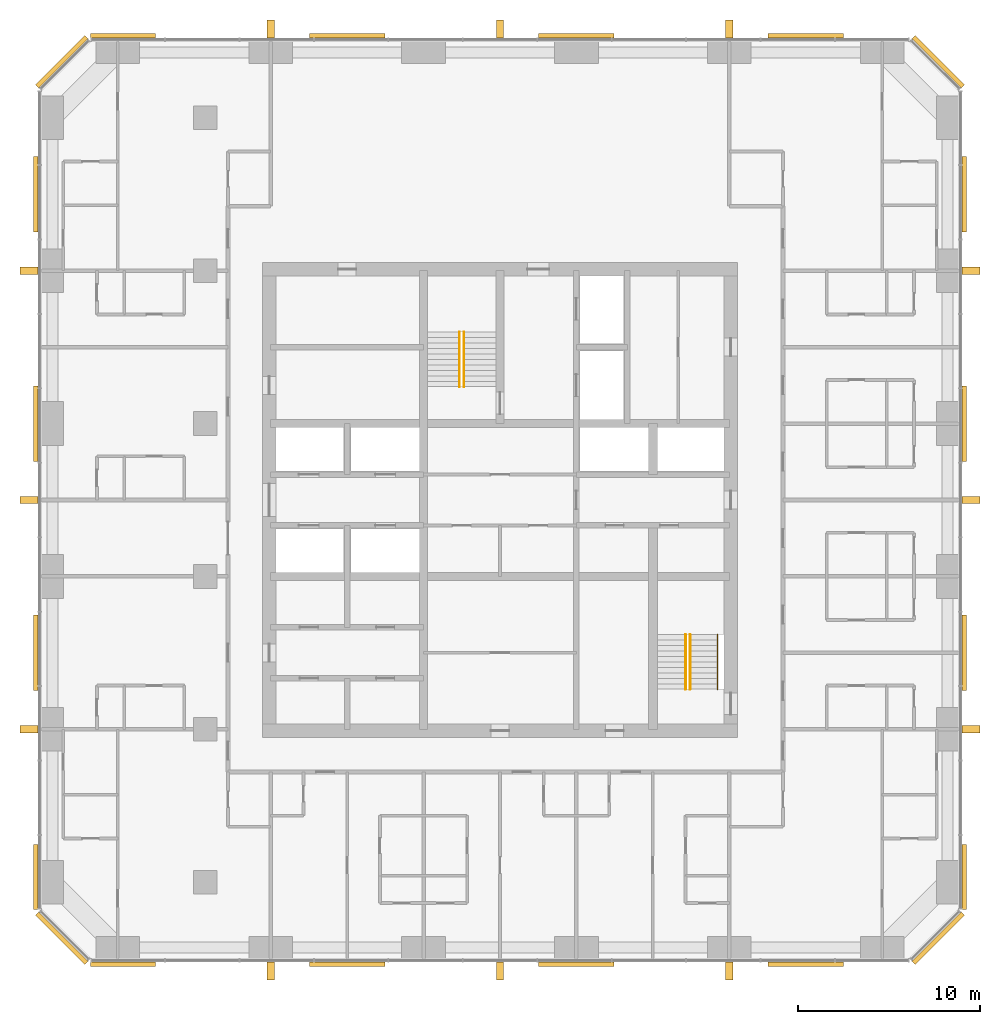
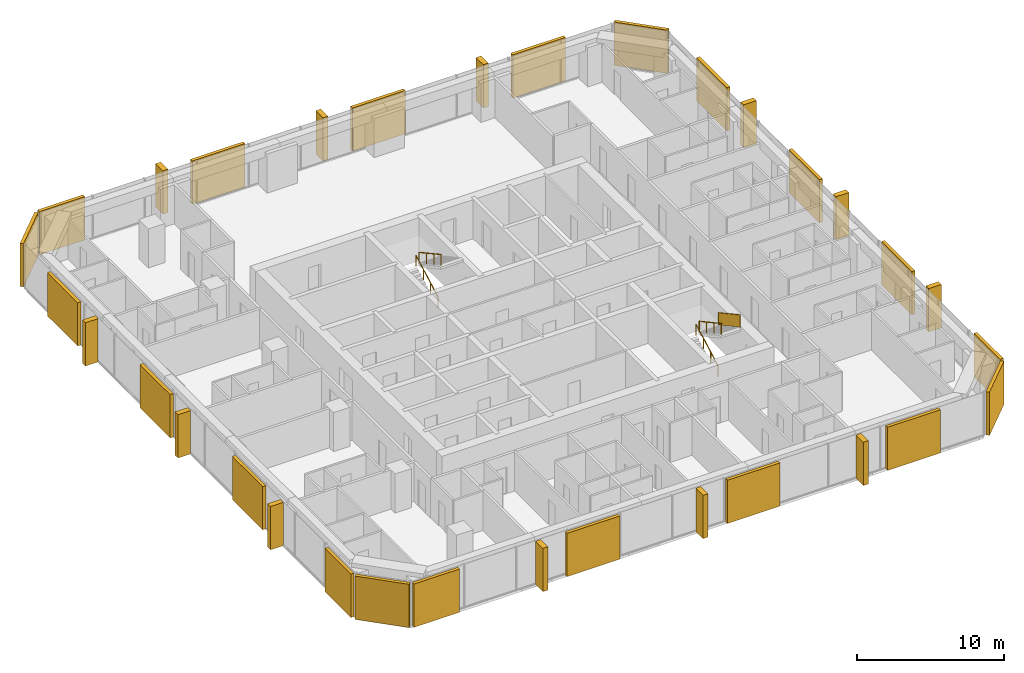
# One storey, part 14 of 14: 20 coverings, 12 shading devices, 5 railings.
"""IFC4 building model written with IfcOpenShell, lengths in metres."""

from ifc_helpers import new_model, si_unit, direction, frame, origin, origin_2d, place, context, subcontext, project, spatial, polyline, rectangle, circle, outline, extrude, material, layer, layer_set, type_object, element, save


model = new_model("IFC4")

# Units and contexts
model_context = context("Model", 3, precision=1e-05, world=origin(), true_north=direction((0.0, 1.0)))
body_context = subcontext(model_context, "Body", "Model", "MODEL_VIEW")
ifc_project = project(units=[si_unit("LENGTHUNIT", "METRE"), si_unit("AREAUNIT", "SQUARE_METRE"), si_unit("VOLUMEUNIT", "CUBIC_METRE"), si_unit("PLANEANGLEUNIT", "RADIAN"), si_unit("MASSUNIT", "GRAM", prefix="KILO")], contexts=[model_context])

# Site, building, storey
site_placement = place(None, origin())
site = spatial("IfcSite", under=ifc_project, at=site_placement, CompositionType="ELEMENT")
building_placement = place(site_placement, origin())
building = spatial("IfcBuilding", under=site, at=building_placement, Name="Dunama Terrace Hotel", CompositionType="ELEMENT")
storey_placement = place(building_placement, frame((0.0, 0.0, 177.0)))
storey = spatial("IfcBuildingStorey", under=building, at=storey_placement, Name="L45", CompositionType="ELEMENT", Elevation=177.0)

# Railings
ifc_material_1 = material(Name="Stainless steel and laminated glass guard", Category="steel")
railing_type_1 = type_object("IfcRailingType", Name="Guard 1100", PredefinedType="GUARDRAIL", material=ifc_material_1)
railing_1_placement = place(storey_placement, frame((41.35009765625, 22.0, 1.963623046875)))
element("IfcRailing", 1, at=railing_1_placement, inside=storey, type_object=railing_type_1, Name="Stair guard ST2 L45", PredefinedType="GUARDRAIL", context=body_context, shape_type="SweptSolid", body=[
    extrude(circle(Radius=0.02392578125, at=origin_2d()), frame((0.0, 0.0, 1.076171875), z_axis=(0.0, -0.877881921179, 0.478877158013), x_axis=(1.0, 0.0, 0.0)), (0.0, 0.0, 1.0), 3.417236328125),
    extrude(circle(Radius=0.02099609375, at=origin_2d()), origin(), (0.0, 0.0, 1.0), 1.052001953125),
    extrude(circle(Radius=0.02099609375, at=origin_2d()), frame((0.0, -1.0, 0.54541015625)), (0.0, 0.0, 1.0), 1.052001953125),
    extrude(circle(Radius=0.02099609375, at=origin_2d()), frame((0.0, -2.0, 1.091064453125)), (0.0, 0.0, 1.0), 1.052001953125),
    extrude(circle(Radius=0.02099609375, at=origin_2d()), frame((0.0, -3.0, 1.636474609375)), (0.0, 0.0, 1.0), 1.052001953125),
    extrude(outline(polyline([(0.0048828125, 0.052734375), (0.9951171875, 0.5927734375), (0.9951171875, 1.618896484375), (0.0048828125, 1.07861328125), (0.0048828125, 0.052734375)])), frame((0.0087890625, 0.0, 0.0), z_axis=(-1.0, 0.0, 0.0), x_axis=(0.0, -1.0, 0.0)), (0.0, 0.0, 1.0), 0.017578125),
    extrude(outline(polyline([(0.0048828125, 0.052734375), (0.9951171875, 0.5927734375), (0.9951171875, 1.618896484375), (0.0048828125, 1.07861328125), (0.0048828125, 0.052734375)])), frame((0.0087890625, -1.0, 0.54541015625), z_axis=(-1.0, 0.0, 0.0), x_axis=(0.0, -1.0, 0.0)), (0.0, 0.0, 1.0), 0.017578125),
    extrude(outline(polyline([(0.0048828125, 0.052734375), (0.9951171875, 0.5927734375), (0.9951171875, 1.618896484375), (0.0048828125, 1.07861328125), (0.0048828125, 0.052734375)])), frame((0.0087890625, -2.0, 1.091064453125), z_axis=(-1.0, 0.0, 0.0), x_axis=(0.0, -1.0, 0.0)), (0.0, 0.0, 1.0), 0.017578125),
])
ifc_material_2 = material(Name="Stainless steel handrail", Category="steel")
railing_type_2 = type_object("IfcRailingType", Name="Stair handrail 900", PredefinedType="HANDRAIL", material=ifc_material_2)
railing_2_placement = place(storey_placement, frame((27.175048828125, 35.625, 0.16357421875)))
element("IfcRailing", 2, at=railing_2_placement, inside=storey, type_object=railing_type_2, Name="Handrail ST1 L45", PredefinedType="HANDRAIL", context=body_context, shape_type="SweptSolid", body=[
    extrude(circle(Radius=0.02392578125, at=origin_2d()), frame((0.0, 0.0, 0.8759765625), z_axis=(0.0, 0.877881921179, 0.478877158013), x_axis=(-1.0, 0.0, 0.0)), (0.0, 0.0, 1.0), 3.417236328125),
    extrude(circle(Radius=0.02099609375, at=origin_2d()), origin(), (0.0, 0.0, 1.0), 0.851806640625),
    extrude(circle(Radius=0.02099609375, at=origin_2d()), frame((0.0, 1.0, 0.54541015625)), (0.0, 0.0, 1.0), 0.851806640625),
    extrude(circle(Radius=0.02099609375, at=origin_2d()), frame((0.0, 2.0, 1.091064453125)), (0.0, 0.0, 1.0), 0.851806640625),
    extrude(circle(Radius=0.02099609375, at=origin_2d()), frame((0.0, 3.0, 1.636474609375)), (0.0, 0.0, 1.0), 0.851806640625),
])
railing_3_placement = place(storey_placement, frame((27.425048828125, 38.625, 1.963623046875)))
element("IfcRailing", 3, at=railing_3_placement, inside=storey, type_object=railing_type_2, Name="Handrail ST1 L45", PredefinedType="HANDRAIL", context=body_context, shape_type="SweptSolid", body=[
    extrude(circle(Radius=0.02392578125, at=origin_2d()), frame((0.0, 0.0, 0.8759765625), z_axis=(0.0, -0.877881921179, 0.478877158013), x_axis=(1.0, 0.0, 0.0)), (0.0, 0.0, 1.0), 3.417236328125),
    extrude(circle(Radius=0.02099609375, at=origin_2d()), origin(), (0.0, 0.0, 1.0), 0.851806640625),
    extrude(circle(Radius=0.02099609375, at=origin_2d()), frame((0.0, -1.0, 0.54541015625)), (0.0, 0.0, 1.0), 0.851806640625),
    extrude(circle(Radius=0.02099609375, at=origin_2d()), frame((0.0, -2.0, 1.091064453125)), (0.0, 0.0, 1.0), 0.851806640625),
    extrude(circle(Radius=0.02099609375, at=origin_2d()), frame((0.0, -3.0, 1.636474609375)), (0.0, 0.0, 1.0), 0.851806640625),
])
railing_4_placement = place(storey_placement, frame((39.60009765625, 19.0, 0.16357421875)))
element("IfcRailing", 4, at=railing_4_placement, inside=storey, type_object=railing_type_2, Name="Handrail ST2 L45", PredefinedType="HANDRAIL", context=body_context, shape_type="SweptSolid", body=[
    extrude(circle(Radius=0.02392578125, at=origin_2d()), frame((0.0, 0.0, 0.8759765625), z_axis=(0.0, 0.877881921179, 0.478877158013), x_axis=(-1.0, 0.0, 0.0)), (0.0, 0.0, 1.0), 3.417236328125),
    extrude(circle(Radius=0.02099609375, at=origin_2d()), origin(), (0.0, 0.0, 1.0), 0.851806640625),
    extrude(circle(Radius=0.02099609375, at=origin_2d()), frame((0.0, 1.0, 0.54541015625)), (0.0, 0.0, 1.0), 0.851806640625),
    extrude(circle(Radius=0.02099609375, at=origin_2d()), frame((0.0, 2.0, 1.091064453125)), (0.0, 0.0, 1.0), 0.851806640625),
    extrude(circle(Radius=0.02099609375, at=origin_2d()), frame((0.0, 3.0, 1.636474609375)), (0.0, 0.0, 1.0), 0.851806640625),
])
railing_5_placement = place(storey_placement, frame((39.85009765625, 22.0, 1.963623046875)))
element("IfcRailing", 5, at=railing_5_placement, inside=storey, type_object=railing_type_2, Name="Handrail ST2 L45", PredefinedType="HANDRAIL", context=body_context, shape_type="SweptSolid", body=[
    extrude(circle(Radius=0.02392578125, at=origin_2d()), frame((0.0, 0.0, 0.8759765625), z_axis=(0.0, -0.877881921179, 0.478877158013), x_axis=(1.0, 0.0, 0.0)), (0.0, 0.0, 1.0), 3.417236328125),
    extrude(circle(Radius=0.02099609375, at=origin_2d()), origin(), (0.0, 0.0, 1.0), 0.851806640625),
    extrude(circle(Radius=0.02099609375, at=origin_2d()), frame((0.0, -1.0, 0.54541015625)), (0.0, 0.0, 1.0), 0.851806640625),
    extrude(circle(Radius=0.02099609375, at=origin_2d()), frame((0.0, -2.0, 1.091064453125)), (0.0, 0.0, 1.0), 0.851806640625),
    extrude(circle(Radius=0.02099609375, at=origin_2d()), frame((0.0, -3.0, 1.636474609375)), (0.0, 0.0, 1.0), 0.851806640625),
])

# Coverings
ifc_material_3 = material(Name="Warm reconstituted stone panel", Category="masonry")
ifc_layer_1 = layer(ifc_material_3, 0.25)
ifc_layer_set_1 = layer_set([ifc_layer_1], Name="Stone diagonal panel")
covering_type = type_object("IfcCoveringType", Name="Stone diagonal panel", PredefinedType="CLADDING", material=ifc_layer_set_1)
covering_1_placement = place(storey_placement, frame((8.68994140625, 3.876953125, 0.001953125), z_axis=(0.0, 0.0, 1.0), x_axis=(1.0, 0.0, 0.0)))
element("IfcCovering", 6, at=covering_1_placement, inside=storey, type_object=covering_type, Name="Stone diagonal panel L45", PredefinedType="CLADDING", context=body_context, shape_type="SweptSolid", body=[
    extrude(rectangle(XDim=3.570068359375, YDim=0.25, at=origin_2d()), origin(), (0.0, 0.0, 1.0), 3.595947265625),
])
for number, where, z_axis, x_axis, name in (
    (7, (21.0, 3.876953125, 0.001953125), (0.0, 0.0, 1.0), (1.0, 0.0, 0.0), "Stone diagonal panel L45"),
    (8, (33.60009765625, 3.876953125, 0.001953125), (0.0, 0.0, 1.0), (1.0, 0.0, 0.0), "Stone diagonal panel L45"),
    (9, (46.199951171875, 3.876953125, 0.001953125), (0.0, 0.0, 1.0), (1.0, 0.0, 0.0), "Stone diagonal panel L45"),
):
    element("IfcCovering", number, at=place(storey_placement, frame(where, z_axis=z_axis, x_axis=x_axis)), inside=storey, type_object=covering_type, Name=name, PredefinedType="CLADDING", context=body_context, shape_type="SweptSolid", body=[
        extrude(rectangle(XDim=4.14990234375, YDim=0.25, at=origin_2d()), origin(), (0.0, 0.0, 1.0), 3.595947265625),
    ])
covering_2_placement = place(storey_placement, frame((53.47900390625, 5.321044921875, 0.001953125), z_axis=(0.0, 0.0, 1.0), x_axis=(0.707106781187, 0.707106781187, 0.0)))
element("IfcCovering", 10, at=covering_2_placement, inside=storey, type_object=covering_type, Name="Stone diagonal panel L45", PredefinedType="CLADDING", context=body_context, shape_type="SweptSolid", body=[
    extrude(rectangle(XDim=3.808349609375, YDim=0.25, at=origin_2d()), origin(), (0.0, 0.0, 1.0), 3.595947265625),
])
covering_3_placement = place(storey_placement, frame((54.923095703125, 8.68994140625, 0.001953125), z_axis=(0.0, 0.0, 1.0), x_axis=(0.0, 1.0, 0.0)))
element("IfcCovering", 11, at=covering_3_placement, inside=storey, type_object=covering_type, Name="Stone diagonal panel L45", PredefinedType="CLADDING", context=body_context, shape_type="SweptSolid", body=[
    extrude(rectangle(XDim=3.570068359375, YDim=0.25, at=origin_2d()), origin(), (0.0, 0.0, 1.0), 3.595947265625),
])
for number, where, z_axis, x_axis, name in (
    (12, (54.923095703125, 21.0, 0.001953125), (0.0, 0.0, 1.0), (0.0, 1.0, 0.0), "Stone diagonal panel L45"),
    (13, (54.923095703125, 33.60009765625, 0.001953125), (0.0, 0.0, 1.0), (0.0, 1.0, 0.0), "Stone diagonal panel L45"),
    (14, (54.923095703125, 46.199951171875, 0.001953125), (0.0, 0.0, 1.0), (0.0, 1.0, 0.0), "Stone diagonal panel L45"),
):
    element("IfcCovering", number, at=place(storey_placement, frame(where, z_axis=z_axis, x_axis=x_axis)), inside=storey, type_object=covering_type, Name=name, PredefinedType="CLADDING", context=body_context, shape_type="SweptSolid", body=[
        extrude(rectangle(XDim=4.14990234375, YDim=0.25, at=origin_2d()), origin(), (0.0, 0.0, 1.0), 3.595947265625),
    ])
covering_4_placement = place(storey_placement, frame((53.47900390625, 53.47900390625, 0.001953125), z_axis=(0.0, 0.0, 1.0), x_axis=(-0.707106781187, 0.707106781187, 0.0)))
element("IfcCovering", 15, at=covering_4_placement, inside=storey, type_object=covering_type, Name="Stone diagonal panel L45", PredefinedType="CLADDING", context=body_context, shape_type="SweptSolid", body=[
    extrude(rectangle(XDim=3.808349609375, YDim=0.25, at=origin_2d()), origin(), (0.0, 0.0, 1.0), 3.595947265625),
])
for number, where, z_axis, x_axis, name in (
    (16, (46.199951171875, 54.923095703125, 0.001953125), (0.0, 0.0, 1.0), (-1.0, 0.0, 0.0), "Stone diagonal panel L45"),
    (17, (33.60009765625, 54.923095703125, 0.001953125), (0.0, 0.0, 1.0), (-1.0, 0.0, 0.0), "Stone diagonal panel L45"),
    (18, (21.0, 54.923095703125, 0.001953125), (0.0, 0.0, 1.0), (-1.0, 0.0, 0.0), "Stone diagonal panel L45"),
):
    element("IfcCovering", number, at=place(storey_placement, frame(where, z_axis=z_axis, x_axis=x_axis)), inside=storey, type_object=covering_type, Name=name, PredefinedType="CLADDING", context=body_context, shape_type="SweptSolid", body=[
        extrude(rectangle(XDim=4.14990234375, YDim=0.25, at=origin_2d()), origin(), (0.0, 0.0, 1.0), 3.595947265625),
    ])
covering_5_placement = place(storey_placement, frame((8.68994140625, 54.923095703125, 0.001953125), z_axis=(0.0, 0.0, 1.0), x_axis=(-1.0, 0.0, 0.0)))
element("IfcCovering", 19, at=covering_5_placement, inside=storey, type_object=covering_type, Name="Stone diagonal panel L45", PredefinedType="CLADDING", context=body_context, shape_type="SweptSolid", body=[
    extrude(rectangle(XDim=3.570068359375, YDim=0.25, at=origin_2d()), origin(), (0.0, 0.0, 1.0), 3.595947265625),
])
covering_6_placement = place(storey_placement, frame((5.321044921875, 53.47900390625, 0.001953125), z_axis=(0.0, 0.0, 1.0), x_axis=(-0.707106781187, -0.707106781187, 0.0)))
element("IfcCovering", 20, at=covering_6_placement, inside=storey, type_object=covering_type, Name="Stone diagonal panel L45", PredefinedType="CLADDING", context=body_context, shape_type="SweptSolid", body=[
    extrude(rectangle(XDim=3.808349609375, YDim=0.25, at=origin_2d()), origin(), (0.0, 0.0, 1.0), 3.595947265625),
])
for number, where, z_axis, x_axis, name in (
    (21, (3.876953125, 46.199951171875, 0.001953125), (0.0, 0.0, 1.0), (0.0, -1.0, 0.0), "Stone diagonal panel L45"),
    (22, (3.876953125, 33.60009765625, 0.001953125), (0.0, 0.0, 1.0), (0.0, -1.0, 0.0), "Stone diagonal panel L45"),
    (23, (3.876953125, 21.0, 0.001953125), (0.0, 0.0, 1.0), (0.0, -1.0, 0.0), "Stone diagonal panel L45"),
):
    element("IfcCovering", number, at=place(storey_placement, frame(where, z_axis=z_axis, x_axis=x_axis)), inside=storey, type_object=covering_type, Name=name, PredefinedType="CLADDING", context=body_context, shape_type="SweptSolid", body=[
        extrude(rectangle(XDim=4.14990234375, YDim=0.25, at=origin_2d()), origin(), (0.0, 0.0, 1.0), 3.595947265625),
    ])
covering_7_placement = place(storey_placement, frame((3.876953125, 8.68994140625, 0.001953125), z_axis=(0.0, 0.0, 1.0), x_axis=(0.0, -1.0, 0.0)))
element("IfcCovering", 24, at=covering_7_placement, inside=storey, type_object=covering_type, Name="Stone diagonal panel L45", PredefinedType="CLADDING", context=body_context, shape_type="SweptSolid", body=[
    extrude(rectangle(XDim=3.570068359375, YDim=0.25, at=origin_2d()), origin(), (0.0, 0.0, 1.0), 3.595947265625),
])
covering_8_placement = place(storey_placement, frame((5.321044921875, 5.321044921875, 0.001953125), z_axis=(0.0, 0.0, 1.0), x_axis=(0.707106781187, -0.707106781187, 0.0)))
element("IfcCovering", 25, at=covering_8_placement, inside=storey, type_object=covering_type, Name="Stone diagonal panel L45", PredefinedType="CLADDING", context=body_context, shape_type="SweptSolid", body=[
    extrude(rectangle(XDim=3.808349609375, YDim=0.25, at=origin_2d()), origin(), (0.0, 0.0, 1.0), 3.595947265625),
])

# Shading devices
ifc_material_4 = material(Name="Warm reconstituted stone fin", Category="masonry")
ifc_layer_2 = layer(ifc_material_4, 0.39990234375)
ifc_layer_set_2 = layer_set([ifc_layer_2], Name="Warm stone fin 400x1000")
shading_device_type = type_object("IfcShadingDeviceType", Name="Warm stone fin 400x1000", PredefinedType="USERDEFINED", material=ifc_layer_set_2)
for number, where, z_axis, x_axis, name in (
    (26, (16.800048828125, 3.52197265625, 0.0), (0.0, 0.0, 1.0), (1.0, 0.0, 0.0), "Stone fin"),
    (27, (29.39990234375, 3.52197265625, 0.0), (0.0, 0.0, 1.0), (1.0, 0.0, 0.0), "Stone fin"),
    (28, (42.0, 3.52197265625, 0.0), (0.0, 0.0, 1.0), (1.0, 0.0, 0.0), "Stone fin"),
    (29, (55.278076171875, 16.800048828125, 0.0), (0.0, 0.0, 1.0), (0.0, 1.0, 0.0), "Stone fin"),
    (30, (55.278076171875, 29.39990234375, 0.0), (0.0, 0.0, 1.0), (0.0, 1.0, 0.0), "Stone fin"),
    (31, (55.278076171875, 42.0, 0.0), (0.0, 0.0, 1.0), (0.0, 1.0, 0.0), "Stone fin"),
    (32, (42.0, 55.278076171875, 0.0), (0.0, 0.0, 1.0), (-1.0, 0.0, 0.0), "Stone fin"),
    (33, (29.39990234375, 55.278076171875, 0.0), (0.0, 0.0, 1.0), (-1.0, 0.0, 0.0), "Stone fin"),
    (34, (16.800048828125, 55.278076171875, 0.0), (0.0, 0.0, 1.0), (-1.0, 0.0, 0.0), "Stone fin"),
    (35, (3.52197265625, 42.0, 0.0), (0.0, 0.0, 1.0), (0.0, -1.0, 0.0), "Stone fin"),
    (36, (3.52197265625, 29.39990234375, 0.0), (0.0, 0.0, 1.0), (0.0, -1.0, 0.0), "Stone fin"),
    (37, (3.52197265625, 16.800048828125, 0.0), (0.0, 0.0, 1.0), (0.0, -1.0, 0.0), "Stone fin"),
):
    element("IfcShadingDevice", number, at=place(storey_placement, frame(where, z_axis=z_axis, x_axis=x_axis)), inside=storey, type_object=shading_device_type, Name=name, ObjectType="FIN", PredefinedType="USERDEFINED", context=body_context, shape_type="SweptSolid", body=[
        extrude(rectangle(XDim=0.39990234375, YDim=1.0, at=origin_2d()), origin(), (0.0, 0.0, 1.0), 3.60009765625),
    ])

save(model, "model.ifc")
